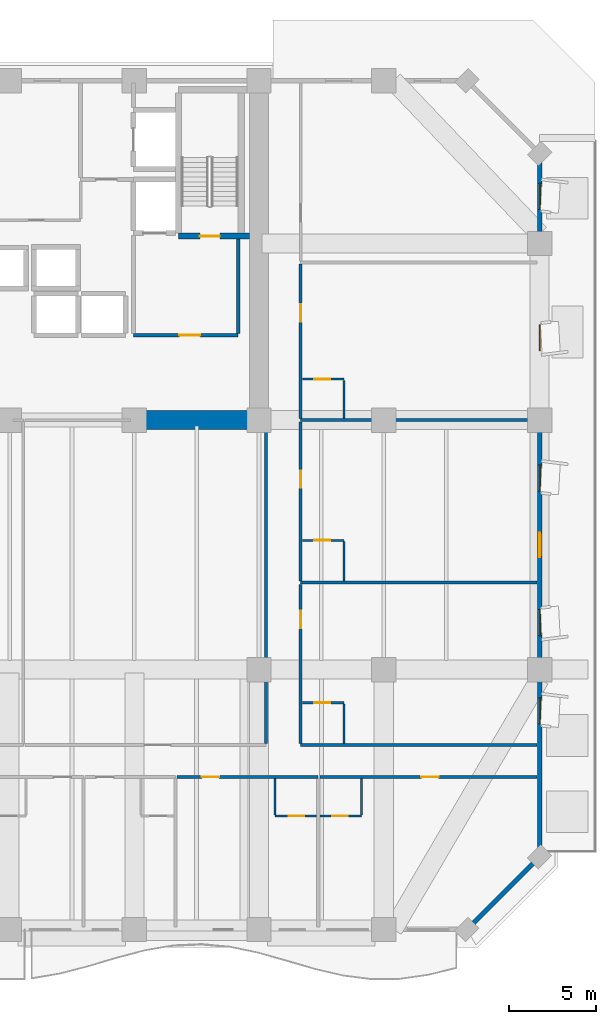
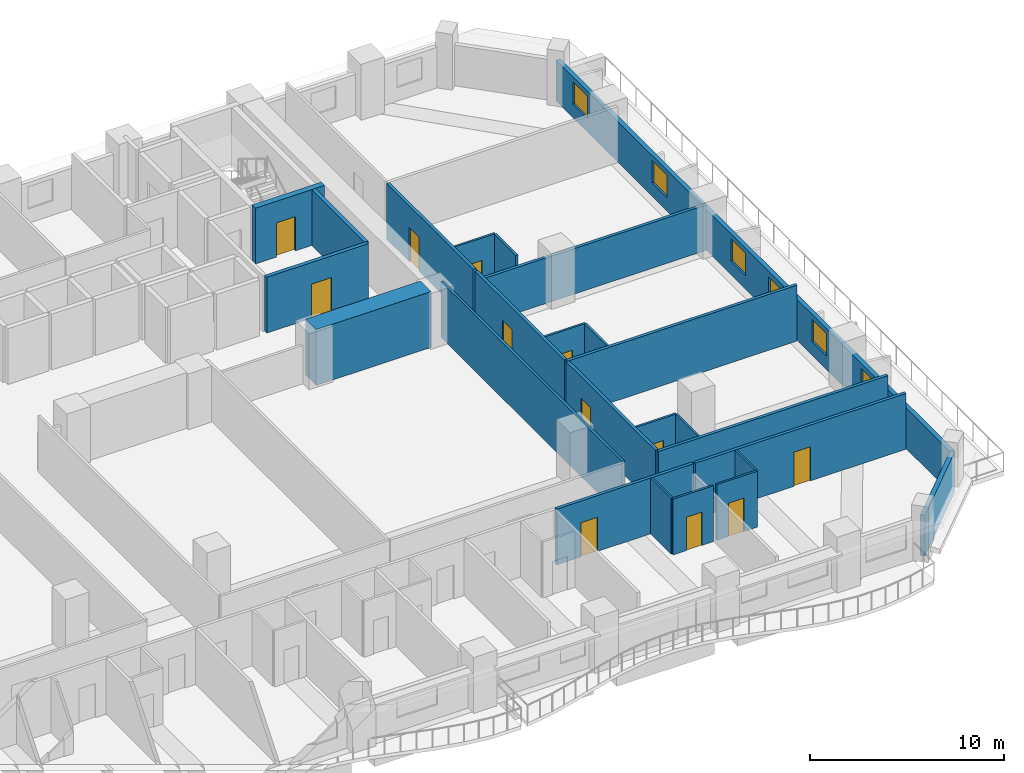
# One storey, part 12 of 17: 25 walls, 13 doors, 5 windows, 18 openings.
"""IFC4 building model written with IfcOpenShell, lengths in metres."""

import ifcopenshell
import ifcopenshell.guid

model = None  # the IFC model being written
_history = None  # IfcOwnerHistory: only IFC2X3 demands one
_inside = {}  # id of a spatial element -> (the spatial element, [elements in it])
_under = {}  # id of a project, library or spatial element -> (it, [spatial elements below it])
_declared = {}  # id of a project -> (the project, [libraries it declares])
_typed = {}  # id of a type object -> (the type object, [elements of that type])
_made_of = {}  # id of a material, layer set ... -> (it, [elements and type objects made of it])


def new_model(schema):
    """Start an empty IFC model of exactly this schema.

    Asked for "IFC4X3", IfcOpenShell would pick the latest addendum, in which some entities
    have other attributes; the version numbers below select the first issue.
    IFC2X3 requires an IfcOwnerHistory on every rooted entity: one is made here for all.
    """
    global model, _history
    if schema == "IFC4X3":
        model = ifcopenshell.file(schema_version=(4, 3, 0, 0))
    else:
        model = ifcopenshell.file(schema=schema)
    _inside.clear()
    _under.clear()
    _declared.clear()
    _typed.clear()
    _made_of.clear()
    _history = None
    if model.schema == "IFC2X3":
        org = make("IfcOrganization", Name="unknown")
        user = make(
            "IfcPersonAndOrganization",
            ThePerson=make("IfcPerson", FamilyName="unknown"),
            TheOrganization=org,
        )
        app = make(
            "IfcApplication",
            ApplicationDeveloper=org,
            Version="unknown",
            ApplicationFullName="unknown",
            ApplicationIdentifier="unknown",
        )
        _history = make(
            "IfcOwnerHistory",
            OwningUser=user,
            OwningApplication=app,
            ChangeAction="ADDED",
            CreationDate=0,
        )
    return model


def make(cls, **values):
    """One entity of the class cls with the attributes given. An attribute that is None is left unset."""
    return model.create_entity(
        cls, **{name: value for name, value in values.items() if value is not None}
    )


def rooted(cls, **values):
    """An entity with a GlobalId (a new one), such as an element, a storey or a relation."""
    return make(cls, GlobalId=ifcopenshell.guid.new(), OwnerHistory=_history, **values)


def si_unit(unit_type, name, prefix=None):
    """IfcSIUnit, for example si_unit("LENGTHUNIT", "METRE", prefix="MILLI")."""
    return make("IfcSIUnit", UnitType=unit_type, Prefix=prefix, Name=name)


def assignment(units):
    """IfcUnitAssignment: the units of a project."""
    return None if units is None else make("IfcUnitAssignment", Units=units)


def point(xyz):
    """IfcCartesianPoint."""
    return None if xyz is None else make("IfcCartesianPoint", Coordinates=xyz)


def direction(xyz):
    """IfcDirection."""
    return None if xyz is None else make("IfcDirection", DirectionRatios=xyz)


def frame(location, z_axis=None, x_axis=None):
    """IfcAxis2Placement3D, a coordinate frame: its origin and axes. An axis left out is left unset."""
    return make(
        "IfcAxis2Placement3D",
        Location=point(location),
        Axis=direction(z_axis),
        RefDirection=direction(x_axis),
    )


def frame_2d(location, x_axis=None):
    """IfcAxis2Placement2D, a coordinate frame in the plane: its origin and x axis."""
    return make(
        "IfcAxis2Placement2D", Location=point(location), RefDirection=direction(x_axis)
    )


def origin():
    """The frame at (0, 0, 0) with its axes left unset."""
    return frame((0.0, 0.0, 0.0))


def place(relative_to, where):
    """IfcLocalPlacement: puts the frame where relative to a parent placement (None: the world)."""
    return make(
        "IfcLocalPlacement", PlacementRelTo=relative_to, RelativePlacement=where
    )


def context(
    kind, dimensions, precision=None, world=None, true_north=None, identifier=None
):
    """IfcGeometricRepresentationContext, for example the 3D "Model" context."""
    return make(
        "IfcGeometricRepresentationContext",
        ContextIdentifier=identifier,
        ContextType=kind,
        CoordinateSpaceDimension=dimensions,
        Precision=precision,
        WorldCoordinateSystem=world,
        TrueNorth=true_north,
    )


def subcontext(parent, identifier, kind, view, scale=None):
    """IfcGeometricRepresentationSubContext, for example "Body" below "Model"."""
    return make(
        "IfcGeometricRepresentationSubContext",
        ContextIdentifier=identifier,
        ContextType=kind,
        ParentContext=parent,
        TargetScale=scale,
        TargetView=view,
    )


def project(units=None, contexts=None):
    """IfcProject with its units and contexts."""
    return rooted(
        "IfcProject",
        Name="project",
        RepresentationContexts=contexts,
        UnitsInContext=assignment(units),
    )


def spatial(cls, under=None, at=None, **own):
    """A site, building, storey or space (cls), placed at a placement, below another one or the project."""
    s = rooted(cls, ObjectPlacement=at, **own)
    if under is not None:
        _under.setdefault(under.id(), (under, []))[1].append(s)
    return s


def profile(cls, at=None, kind="AREA", **sizes):
    """A parametric profile (cls). Its sizes go by their IFC names, for example OverallWidth=200.0."""
    return make(cls, ProfileType=kind, Position=at, **sizes)


def rectangle(**sizes):
    """IfcRectangleProfileDef."""
    return profile("IfcRectangleProfileDef", **sizes)


def extrude(swept, where, along, depth):
    """IfcExtrudedAreaSolid: the profile swept, set in the frame where, extruded along a direction by depth."""
    return make(
        "IfcExtrudedAreaSolid",
        SweptArea=swept,
        Position=where,
        ExtrudedDirection=direction(along),
        Depth=depth,
    )


def shape(context_of_items, identifier, shape_type, items):
    """IfcShapeRepresentation: the items that make up one representation, for example the "Body"."""
    return make(
        "IfcShapeRepresentation",
        ContextOfItems=context_of_items,
        RepresentationIdentifier=identifier,
        RepresentationType=shape_type,
        Items=items,
    )


def material(Name=None, Category=None):
    """IfcMaterial."""
    return make("IfcMaterial", Name=Name, Category=Category)


def layer(
    of_material, thickness, ventilated=None, Name=None, Category=None, Priority=None
):
    """IfcMaterialLayer: one layer of a wall or slab, of a material (None: an air gap)."""
    return make(
        "IfcMaterialLayer",
        Material=of_material,
        LayerThickness=thickness,
        IsVentilated=ventilated,
        Name=Name,
        Category=Category,
        Priority=Priority,
    )


def layer_set(layers, Name=None):
    """IfcMaterialLayerSet."""
    return make("IfcMaterialLayerSet", MaterialLayers=layers, LayerSetName=Name)


def made_of(thing, what):
    """Note that an element or type object is made of a material, layer set ...; save() writes the relation."""
    if what is not None:
        _made_of.setdefault(what.id(), (what, []))[1].append(thing)
    return thing


def type_object(cls, material=None, **own):
    """A type object (cls), such as IfcWallType, which elements share."""
    return made_of(rooted(cls, **own), material)


def element(
    cls,
    number,
    at=None,
    inside=None,
    cuts=None,
    type_object=None,
    material=None,
    context=None,
    identifier="Body",
    shape_type=None,
    held_by="IfcProductDefinitionShape",
    body=None,
    shapes=None,
    **own,
):
    """One element of the class cls, such as IfcWall. Its Tag is "e" and its number.

    at: its placement. inside: the storey or other place that contains it. cuts: it is an
    opening in that element (IfcRelVoidsElement). A single representation is given by context,
    identifier, shape_type and body (its items); several are given by shapes. held_by: the class
    of the entity that holds the representations. save() writes the other relations.
    """
    e = rooted(cls, Tag="e%d" % number, ObjectPlacement=at, **own)
    if body is not None:
        shapes = [shape(context, identifier, shape_type, body)]
    if shapes is not None:
        e.Representation = make(held_by, Representations=shapes)
    if inside is not None:
        _inside.setdefault(inside.id(), (inside, []))[1].append(e)
    if cuts is not None:
        rooted(
            "IfcRelVoidsElement", RelatingBuildingElement=cuts, RelatedOpeningElement=e
        )
    if type_object is not None:
        _typed.setdefault(type_object.id(), (type_object, []))[1].append(e)
    return made_of(e, material)


def fill(opening, filler):
    """IfcRelFillsElement: the door or window that sits in an opening."""
    return rooted(
        "IfcRelFillsElement",
        RelatingOpeningElement=opening,
        RelatedBuildingElement=filler,
    )


def aggregate(whole, parts):
    """IfcRelAggregates: a whole, such as a stair, and the parts it consists of."""
    return rooted("IfcRelAggregates", RelatingObject=whole, RelatedObjects=parts)


def save(model, path):
    """Write the relations noted so far, then the file.

    IfcRelAggregates (storeys below a building ...), IfcRelContainedInSpatialStructure (elements
    in a storey), IfcRelDefinesByType, IfcRelAssociatesMaterial and IfcRelDeclares: one each for
    every whole, place, type object, material and project.
    """
    for whole, parts in _under.values():
        aggregate(whole, parts)
    for where, things in _inside.values():
        rooted(
            "IfcRelContainedInSpatialStructure",
            RelatedElements=things,
            RelatingStructure=where,
        )
    for kind, things in _typed.values():
        rooted("IfcRelDefinesByType", RelatedObjects=things, RelatingType=kind)
    for what, things in _made_of.values():
        rooted("IfcRelAssociatesMaterial", RelatedObjects=things, RelatingMaterial=what)
    for by, libraries in _declared.values():
        rooted("IfcRelDeclares", RelatingContext=by, RelatedDefinitions=libraries)
    model.write(path)


model = new_model("IFC4")

# Units and contexts
model_context = context("Model", 3, precision=1e-05, world=origin(), true_north=direction((0.0, 1.0)))
body_context = subcontext(model_context, "Body", "Model", "MODEL_VIEW")
ifc_project = project(units=[si_unit("LENGTHUNIT", "METRE"), si_unit("AREAUNIT", "SQUARE_METRE"), si_unit("VOLUMEUNIT", "CUBIC_METRE"), si_unit("PLANEANGLEUNIT", "RADIAN"), si_unit("MASSUNIT", "GRAM", prefix="KILO")], contexts=[model_context])

# Site, building, storey
site_placement = place(None, origin())
site = spatial("IfcSite", under=ifc_project, at=site_placement, CompositionType="ELEMENT")
building_placement = place(site_placement, origin())
building = spatial("IfcBuilding", under=site, at=building_placement, Name="Kaelvorn Grand Hotel", CompositionType="ELEMENT")
storey_placement = place(building_placement, frame((0.0, 0.0, 31.39990234375)))
storey = spatial("IfcBuildingStorey", under=building, at=storey_placement, Name="L05", CompositionType="ELEMENT", Elevation=31.39990234375)

# Walls
ifc_material_1 = material(Name="Concrete C80/95", Category="concrete")
ifc_layer_1 = layer(ifc_material_1, 1.10009765625)
ifc_layer_set_1 = layer_set([ifc_layer_1], Name="Concrete C80/95")
wall_type_1 = type_object("IfcWallType", Name="WL-CORE-1100-C80", PredefinedType="SHEAR", material=ifc_layer_set_1)
wall_1_placement = place(storey_placement, frame((60.39990234375, 29.39990234375, 0.0), z_axis=(0.0, 0.0, 1.0), x_axis=(1.0, 0.0, 0.0)))
element("IfcWall", 1, at=wall_1_placement, inside=storey, type_object=wall_type_1, Name="L05 Rear-Core Coupled Shear Pier S4", PredefinedType="SHEAR", context=body_context, shape_type="SweptSolid", body=[
    extrude(rectangle(XDim=6.84521484375, YDim=1.10009765625, at=frame_2d((3.422607421875, 0.0))), origin(), (0.0, 0.0, 1.0), 3.510009765625),
])
ifc_material_2 = material(Name="Concrete C40/50", Category="concrete")
ifc_layer_2 = layer(ifc_material_2, 0.260009765625)
ifc_layer_set_2 = layer_set([ifc_layer_2], Name="Concrete C40/50")
wall_type_2 = type_object("IfcWallType", Name="WL-EXT-260-C40", PredefinedType="SOLIDWALL", material=ifc_layer_set_2)
wall_2_placement = place(storey_placement, frame((79.800048828125, 0.0, 0.0), z_axis=(0.0, 0.0, 1.0), x_axis=(0.707106781187, 0.707106781187, 0.0)))
element("IfcWall", 2, at=wall_2_placement, inside=storey, type_object=wall_type_2, Name="L05 Exterior Architectural Concrete Wall 02", PredefinedType="SOLIDWALL", context=body_context, shape_type="SweptSolid", body=[
    extrude(rectangle(XDim=5.939697265625, YDim=0.260009765625, at=frame_2d((2.9697265625, 0.0))), origin(), (0.0, 0.0, 1.0), 2.56005859375),
])

# Wall, openings, door, windows
wall_3_placement = place(storey_placement, frame((84.0, 4.199951171875, 0.0), z_axis=(0.0, 0.0, 1.0), x_axis=(0.0, 1.0, 0.0)))
wall_3 = element("IfcWall", 3, at=wall_3_placement, inside=storey, type_object=wall_type_2, Name="L05 Exterior Architectural Concrete Wall 03", PredefinedType="SOLIDWALL", context=body_context, shape_type="SweptSolid", body=[
    extrude(rectangle(XDim=40.60009765625, YDim=0.260009765625, at=frame_2d((20.300048828125, 0.0))), origin(), (0.0, 0.0, 1.0), 2.56005859375),
])
opening_1_placement = place(wall_3_placement, frame((17.300048828125, 0.0, 0.0)))
opening_1 = element("IfcOpeningElement", 4, at=opening_1_placement, cuts=wall_3, Name="Opening DE3", PredefinedType="OPENING", context=body_context, shape_type="SweptSolid", body=[
    extrude(rectangle(XDim=1.39990234375, YDim=2.199951171875, at=frame_2d((0.699951171875, 1.10009765625))), frame((0.0, 0.14013671875, 0.0), z_axis=(0.0, -1.0, 0.0), x_axis=(1.0, 0.0, 0.0)), (0.0, 0.0, 1.0), 0.280029296875),
])
opening_2_placement = place(wall_3_placement, frame((7.675048828125, 0.0, 0.85009765625)))
opening_2 = element("IfcOpeningElement", 5, at=opening_2_placement, cuts=wall_3, Name="Opening W10", PredefinedType="OPENING", context=body_context, shape_type="SweptSolid", body=[
    extrude(rectangle(XDim=1.5, YDim=1.39990234375, at=frame_2d((0.75, 0.699951171875))), frame((0.0, 0.14013671875, 0.0), z_axis=(0.0, -1.0, 0.0), x_axis=(1.0, 0.0, 0.0)), (0.0, 0.0, 1.0), 0.280029296875),
])
opening_3_placement = place(wall_3_placement, frame((12.760009765625, 0.0, 0.85009765625)))
opening_3 = element("IfcOpeningElement", 6, at=opening_3_placement, cuts=wall_3, Name="Opening W10", PredefinedType="OPENING", context=body_context, shape_type="SweptSolid", body=[
    extrude(rectangle(XDim=1.5, YDim=1.39990234375, at=frame_2d((0.75, 0.699951171875))), frame((0.0, 0.14013671875, 0.0), z_axis=(0.0, -1.0, 0.0), x_axis=(1.0, 0.0, 0.0)), (0.0, 0.0, 1.0), 0.280029296875),
])
opening_4_placement = place(wall_3_placement, frame((21.110107421875, 0.0, 0.85009765625)))
opening_4 = element("IfcOpeningElement", 7, at=opening_4_placement, cuts=wall_3, Name="Opening W10", PredefinedType="OPENING", context=body_context, shape_type="SweptSolid", body=[
    extrude(rectangle(XDim=1.5, YDim=1.39990234375, at=frame_2d((0.75, 0.699951171875))), frame((0.0, 0.14013671875, 0.0), z_axis=(0.0, -1.0, 0.0), x_axis=(1.0, 0.0, 0.0)), (0.0, 0.0, 1.0), 0.280029296875),
])
opening_5_placement = place(wall_3_placement, frame((29.199951171875, 0.0, 0.85009765625)))
opening_5 = element("IfcOpeningElement", 8, at=opening_5_placement, cuts=wall_3, Name="Opening W10", PredefinedType="OPENING", context=body_context, shape_type="SweptSolid", body=[
    extrude(rectangle(XDim=1.5, YDim=1.39990234375, at=frame_2d((0.75, 0.699951171875))), frame((0.0, 0.14013671875, 0.0), z_axis=(0.0, -1.0, 0.0), x_axis=(1.0, 0.0, 0.0)), (0.0, 0.0, 1.0), 0.280029296875),
])
opening_6_placement = place(wall_3_placement, frame((37.364990234375, 0.0, 0.85009765625)))
opening_6 = element("IfcOpeningElement", 9, at=opening_6_placement, cuts=wall_3, Name="Opening W10", PredefinedType="OPENING", context=body_context, shape_type="SweptSolid", body=[
    extrude(rectangle(XDim=1.5, YDim=1.39990234375, at=frame_2d((0.75, 0.699951171875))), frame((0.0, 0.14013671875, 0.0), z_axis=(0.0, -1.0, 0.0), x_axis=(1.0, 0.0, 0.0)), (0.0, 0.0, 1.0), 0.280029296875),
])
ifc_material_3 = material(Name="Anodised Aluminium", Category="aluminium")
door_type_1 = type_object("IfcDoorType", Name="DR-EXT-TERR-1400x2200", OperationType="NOTDEFINED", PredefinedType="DOOR", material=ifc_material_3)
door_1_placement = place(opening_1_placement, origin())
door_1 = element("IfcDoor", 10, at=door_1_placement, inside=storey, type_object=door_type_1, Name="L05 East Setback Terrace Step-Free Door DE3-E", OperationType="SINGLE_SWING_RIGHT", OverallHeight=2.199951171875, OverallWidth=1.39990234375, PredefinedType="DOOR", context=body_context, shape_type="SweptSolid", body=[
    extrude(rectangle(XDim=1.39990234375, YDim=2.199951171875, at=frame_2d((0.699951171875, 1.10009765625))), frame((0.0, 0.02490234375, 0.0), z_axis=(0.0, -1.0, 0.0), x_axis=(1.0, 0.0, 0.0)), (0.0, 0.0, 1.0), 0.050048828125),
])
fill(opening_1, door_1)
ifc_material_4 = material(Name="Laminated Low-E Glass", Category="glass")
window_type = type_object("IfcWindowType", Name="WIN-COR-1500x1400", PartitioningType="SINGLE_PANEL", PredefinedType="WINDOW", material=ifc_material_4)
window_1_placement = place(opening_2_placement, origin())
window_1 = element("IfcWindow", 11, at=window_1_placement, inside=storey, type_object=window_type, Name="L05 E Wing Tilted-Frame Ribbon Window E01", OverallHeight=1.39990234375, OverallWidth=1.5, PartitioningType="SINGLE_PANEL", PredefinedType="WINDOW", context=body_context, shape_type="SweptSolid", body=[
    extrude(rectangle(XDim=1.5, YDim=1.39990234375, at=frame_2d((0.75, 0.699951171875))), frame((0.0, 0.030029296875, 0.0), z_axis=(0.0, -1.0, 0.0), x_axis=(1.0, 0.0, 0.0)), (0.0, 0.0, 1.0), 0.06005859375),
])
fill(opening_2, window_1)
window_2_placement = place(opening_3_placement, origin())
window_2 = element("IfcWindow", 12, at=window_2_placement, inside=storey, type_object=window_type, Name="L05 E Wing Tilted-Frame Ribbon Window E02", OverallHeight=1.39990234375, OverallWidth=1.5, PartitioningType="SINGLE_PANEL", PredefinedType="WINDOW", context=body_context, shape_type="SweptSolid", body=[
    extrude(rectangle(XDim=1.5, YDim=1.39990234375, at=frame_2d((0.75, 0.699951171875))), frame((0.0, 0.030029296875, 0.0), z_axis=(0.0, -1.0, 0.0), x_axis=(1.0, 0.0, 0.0)), (0.0, 0.0, 1.0), 0.06005859375),
])
fill(opening_3, window_2)
window_3_placement = place(opening_4_placement, origin())
window_3 = element("IfcWindow", 13, at=window_3_placement, inside=storey, type_object=window_type, Name="L05 E Wing Tilted-Frame Ribbon Window E03", OverallHeight=1.39990234375, OverallWidth=1.5, PartitioningType="SINGLE_PANEL", PredefinedType="WINDOW", context=body_context, shape_type="SweptSolid", body=[
    extrude(rectangle(XDim=1.5, YDim=1.39990234375, at=frame_2d((0.75, 0.699951171875))), frame((0.0, 0.030029296875, 0.0), z_axis=(0.0, -1.0, 0.0), x_axis=(1.0, 0.0, 0.0)), (0.0, 0.0, 1.0), 0.06005859375),
])
fill(opening_4, window_3)
window_4_placement = place(opening_5_placement, origin())
window_4 = element("IfcWindow", 14, at=window_4_placement, inside=storey, type_object=window_type, Name="L05 E Wing Tilted-Frame Ribbon Window E04", OverallHeight=1.39990234375, OverallWidth=1.5, PartitioningType="SINGLE_PANEL", PredefinedType="WINDOW", context=body_context, shape_type="SweptSolid", body=[
    extrude(rectangle(XDim=1.5, YDim=1.39990234375, at=frame_2d((0.75, 0.699951171875))), frame((0.0, 0.030029296875, 0.0), z_axis=(0.0, -1.0, 0.0), x_axis=(1.0, 0.0, 0.0)), (0.0, 0.0, 1.0), 0.06005859375),
])
fill(opening_5, window_4)
window_5_placement = place(opening_6_placement, origin())
window_5 = element("IfcWindow", 15, at=window_5_placement, inside=storey, type_object=window_type, Name="L05 E Wing Tilted-Frame Ribbon Window E05", OverallHeight=1.39990234375, OverallWidth=1.5, PartitioningType="SINGLE_PANEL", PredefinedType="WINDOW", context=body_context, shape_type="SweptSolid", body=[
    extrude(rectangle(XDim=1.5, YDim=1.39990234375, at=frame_2d((0.75, 0.699951171875))), frame((0.0, 0.030029296875, 0.0), z_axis=(0.0, -1.0, 0.0), x_axis=(1.0, 0.0, 0.0)), (0.0, 0.0, 1.0), 0.06005859375),
])
fill(opening_6, window_5)

# Wall, opening, door
ifc_material_5 = material(Name="Moisture-Resistant Tile & Stud Board")
ifc_layer_3 = layer(ifc_material_5, 0.125)
ifc_layer_set_3 = layer_set([ifc_layer_3], Name="Moisture-Resistant Tile & Stud Board")
wall_type_3 = type_object("IfcWallType", Name="WL-PART-125-WET", PredefinedType="PARTITIONING", material=ifc_layer_set_3)
wall_4_placement = place(storey_placement, frame((68.716796875, 6.550048828125, 0.0), z_axis=(0.0, 0.0, 1.0), x_axis=(1.0, 0.0, 0.0)))
wall_4 = element("IfcWall", 16, at=wall_4_placement, inside=storey, type_object=wall_type_3, Name="L05 En-suite Bathroom L05-12 S Partition", PredefinedType="PARTITIONING", context=body_context, shape_type="SweptSolid", body=[
    extrude(rectangle(XDim=2.40478515625, YDim=0.125, at=frame_2d((1.202392578125, 0.0))), origin(), (0.0, 0.0, 1.0), 3.510009765625),
])
opening_7_placement = place(wall_4_placement, frame((0.800048828125, 0.0, 0.0)))
opening_7 = element("IfcOpeningElement", 17, at=opening_7_placement, cuts=wall_4, Name="Opening DI4", PredefinedType="OPENING", context=body_context, shape_type="SweptSolid", body=[
    extrude(rectangle(XDim=0.89990234375, YDim=2.10009765625, at=frame_2d((0.449951171875, 1.050048828125))), frame((0.0, 0.072509765625, 0.0), z_axis=(0.0, -1.0, 0.0), x_axis=(1.0, 0.0, 0.0)), (0.0, 0.0, 1.0), 0.14501953125),
])
ifc_material_6 = material(Name="Timber Veneer Leaf", Category="wood")
door_type_2 = type_object("IfcDoorType", Name="DR-INT-BATH-900x2100", OperationType="NOTDEFINED", PredefinedType="DOOR", material=ifc_material_6)
door_2_placement = place(opening_7_placement, origin())
door_2 = element("IfcDoor", 18, at=door_2_placement, inside=storey, type_object=door_type_2, Name="L05 En-suite Bathroom L05-12 Door", OperationType="SINGLE_SWING_RIGHT", OverallHeight=2.10009765625, OverallWidth=0.89990234375, PredefinedType="DOOR", context=body_context, shape_type="SweptSolid", body=[
    extrude(rectangle(XDim=0.89990234375, YDim=2.10009765625, at=frame_2d((0.449951171875, 1.050048828125))), frame((0.0, 0.02490234375, 0.0), z_axis=(0.0, -1.0, 0.0), x_axis=(1.0, 0.0, 0.0)), (0.0, 0.0, 1.0), 0.050048828125),
])
fill(opening_7, door_2)

# Wall
wall_5_placement = place(storey_placement, frame((68.716796875, 6.617431640625, 0.0), z_axis=(0.0, 0.0, 1.0), x_axis=(0.0, 1.0, 0.0)))
element("IfcWall", 19, at=wall_5_placement, inside=storey, type_object=wall_type_3, Name="L05 En-suite Bathroom L05-12 W Partition", PredefinedType="PARTITIONING", context=body_context, shape_type="SweptSolid", body=[
    extrude(rectangle(XDim=2.087646484375, YDim=0.125, at=frame_2d((1.0439453125, 0.0))), origin(), (0.0, 0.0, 1.0), 3.510009765625),
])

# Wall, opening, door
wall_6_placement = place(storey_placement, frame((71.311767578125, 6.550048828125, 0.0), z_axis=(0.0, 0.0, 1.0), x_axis=(1.0, 0.0, 0.0)))
wall_6 = element("IfcWall", 20, at=wall_6_placement, inside=storey, type_object=wall_type_3, Name="L05 En-suite Bathroom L05-13 S Partition", PredefinedType="PARTITIONING", context=body_context, shape_type="SweptSolid", body=[
    extrude(rectangle(XDim=2.405029296875, YDim=0.125, at=frame_2d((1.20263671875, 0.0))), origin(), (0.0, 0.0, 1.0), 3.510009765625),
])
opening_8_placement = place(wall_6_placement, frame((0.705078125, 0.0, 0.0)))
opening_8 = element("IfcOpeningElement", 21, at=opening_8_placement, cuts=wall_6, Name="Opening DI4", PredefinedType="OPENING", context=body_context, shape_type="SweptSolid", body=[
    extrude(rectangle(XDim=0.89990234375, YDim=2.10009765625, at=frame_2d((0.449951171875, 1.050048828125))), frame((0.0, 0.072509765625, 0.0), z_axis=(0.0, -1.0, 0.0), x_axis=(1.0, 0.0, 0.0)), (0.0, 0.0, 1.0), 0.14501953125),
])
door_3_placement = place(opening_8_placement, origin())
door_3 = element("IfcDoor", 22, at=door_3_placement, inside=storey, type_object=door_type_2, Name="L05 En-suite Bathroom L05-13 Door", OperationType="SINGLE_SWING_RIGHT", OverallHeight=2.10009765625, OverallWidth=0.89990234375, PredefinedType="DOOR", context=body_context, shape_type="SweptSolid", body=[
    extrude(rectangle(XDim=0.89990234375, YDim=2.10009765625, at=frame_2d((0.449951171875, 1.050048828125))), frame((0.0, 0.02490234375, 0.0), z_axis=(0.0, -1.0, 0.0), x_axis=(1.0, 0.0, 0.0)), (0.0, 0.0, 1.0), 0.050048828125),
])
fill(opening_8, door_3)

# Wall
wall_7_placement = place(storey_placement, frame((73.716796875, 6.617431640625, 0.0), z_axis=(0.0, 0.0, 1.0), x_axis=(0.0, 1.0, 0.0)))
element("IfcWall", 23, at=wall_7_placement, inside=storey, type_object=wall_type_3, Name="L05 En-suite Bathroom L05-13 E Partition", PredefinedType="PARTITIONING", context=body_context, shape_type="SweptSolid", body=[
    extrude(rectangle(XDim=2.087646484375, YDim=0.125, at=frame_2d((1.0439453125, 0.0))), origin(), (0.0, 0.0, 1.0), 3.510009765625),
])

# Wall, opening, door
wall_8_placement = place(storey_placement, frame((70.294921875, 13.090087890625, 0.0), z_axis=(0.0, 0.0, 1.0), x_axis=(1.0, 0.0, 0.0)))
wall_8 = element("IfcWall", 24, at=wall_8_placement, inside=storey, type_object=wall_type_3, Name="L05 En-suite Bathroom L05-16 N Partition", PredefinedType="PARTITIONING", context=body_context, shape_type="SweptSolid", body=[
    extrude(rectangle(XDim=2.405029296875, YDim=0.125, at=frame_2d((1.20263671875, 0.0))), origin(), (0.0, 0.0, 1.0), 3.510009765625),
])
opening_9_placement = place(wall_8_placement, frame((0.705078125, 0.0, 0.0)))
opening_9 = element("IfcOpeningElement", 25, at=opening_9_placement, cuts=wall_8, Name="Opening DI4", PredefinedType="OPENING", context=body_context, shape_type="SweptSolid", body=[
    extrude(rectangle(XDim=0.89990234375, YDim=2.10009765625, at=frame_2d((0.449951171875, 1.050048828125))), frame((0.0, 0.072509765625, 0.0), z_axis=(0.0, -1.0, 0.0), x_axis=(1.0, 0.0, 0.0)), (0.0, 0.0, 1.0), 0.14501953125),
])
door_4_placement = place(opening_9_placement, origin())
door_4 = element("IfcDoor", 26, at=door_4_placement, inside=storey, type_object=door_type_2, Name="L05 En-suite Bathroom L05-16 Door", OperationType="SINGLE_SWING_LEFT", OverallHeight=2.10009765625, OverallWidth=0.89990234375, PredefinedType="DOOR", context=body_context, shape_type="SweptSolid", body=[
    extrude(rectangle(XDim=0.89990234375, YDim=2.10009765625, at=frame_2d((0.449951171875, 1.050048828125))), frame((0.0, 0.02490234375, 0.0), z_axis=(0.0, -1.0, 0.0), x_axis=(1.0, 0.0, 0.0)), (0.0, 0.0, 1.0), 0.050048828125),
])
fill(opening_9, door_4)

# Wall
wall_9_placement = place(storey_placement, frame((72.699951171875, 10.7451171875, 0.0), z_axis=(0.0, 0.0, 1.0), x_axis=(0.0, 1.0, 0.0)))
element("IfcWall", 27, at=wall_9_placement, inside=storey, type_object=wall_type_3, Name="L05 En-suite Bathroom L05-16 E Partition", PredefinedType="PARTITIONING", context=body_context, shape_type="SweptSolid", body=[
    extrude(rectangle(XDim=2.27734375, YDim=0.125, at=frame_2d((1.138671875, 0.0))), origin(), (0.0, 0.0, 1.0), 3.510009765625),
])

# Wall, opening, door
wall_10_placement = place(storey_placement, frame((70.294921875, 22.4599609375, 0.0), z_axis=(0.0, 0.0, 1.0), x_axis=(1.0, 0.0, 0.0)))
wall_10 = element("IfcWall", 28, at=wall_10_placement, inside=storey, type_object=wall_type_3, Name="L05 En-suite Bathroom L05-17 N Partition", PredefinedType="PARTITIONING", context=body_context, shape_type="SweptSolid", body=[
    extrude(rectangle(XDim=2.405029296875, YDim=0.125, at=frame_2d((1.20263671875, 0.0))), origin(), (0.0, 0.0, 1.0), 3.510009765625),
])
opening_10_placement = place(wall_10_placement, frame((0.705078125, 0.0, 0.0)))
opening_10 = element("IfcOpeningElement", 29, at=opening_10_placement, cuts=wall_10, Name="Opening DI4", PredefinedType="OPENING", context=body_context, shape_type="SweptSolid", body=[
    extrude(rectangle(XDim=0.89990234375, YDim=2.10009765625, at=frame_2d((0.449951171875, 1.050048828125))), frame((0.0, 0.072509765625, 0.0), z_axis=(0.0, -1.0, 0.0), x_axis=(1.0, 0.0, 0.0)), (0.0, 0.0, 1.0), 0.14501953125),
])
door_5_placement = place(opening_10_placement, origin())
door_5 = element("IfcDoor", 30, at=door_5_placement, inside=storey, type_object=door_type_2, Name="L05 En-suite Bathroom L05-17 Door", OperationType="SINGLE_SWING_LEFT", OverallHeight=2.10009765625, OverallWidth=0.89990234375, PredefinedType="DOOR", context=body_context, shape_type="SweptSolid", body=[
    extrude(rectangle(XDim=0.89990234375, YDim=2.10009765625, at=frame_2d((0.449951171875, 1.050048828125))), frame((0.0, 0.02490234375, 0.0), z_axis=(0.0, -1.0, 0.0), x_axis=(1.0, 0.0, 0.0)), (0.0, 0.0, 1.0), 0.050048828125),
])
fill(opening_10, door_5)

# Wall
wall_11_placement = place(storey_placement, frame((72.699951171875, 20.114990234375, 0.0), z_axis=(0.0, 0.0, 1.0), x_axis=(0.0, 1.0, 0.0)))
element("IfcWall", 31, at=wall_11_placement, inside=storey, type_object=wall_type_3, Name="L05 En-suite Bathroom L05-17 E Partition", PredefinedType="PARTITIONING", context=body_context, shape_type="SweptSolid", body=[
    extrude(rectangle(XDim=2.277587890625, YDim=0.125, at=frame_2d((1.138671875, 0.0))), origin(), (0.0, 0.0, 1.0), 3.510009765625),
])

# Wall, opening, door
wall_12_placement = place(storey_placement, frame((70.294921875, 31.77001953125, 0.0), z_axis=(0.0, 0.0, 1.0), x_axis=(1.0, 0.0, 0.0)))
wall_12 = element("IfcWall", 32, at=wall_12_placement, inside=storey, type_object=wall_type_3, Name="L05 En-suite Bathroom L05-19 N Partition", PredefinedType="PARTITIONING", context=body_context, shape_type="SweptSolid", body=[
    extrude(rectangle(XDim=2.405029296875, YDim=0.125, at=frame_2d((1.20263671875, 0.0))), origin(), (0.0, 0.0, 1.0), 3.510009765625),
])
opening_11_placement = place(wall_12_placement, frame((0.705078125, 0.0, 0.0)))
opening_11 = element("IfcOpeningElement", 33, at=opening_11_placement, cuts=wall_12, Name="Opening DI4", PredefinedType="OPENING", context=body_context, shape_type="SweptSolid", body=[
    extrude(rectangle(XDim=0.89990234375, YDim=2.10009765625, at=frame_2d((0.449951171875, 1.050048828125))), frame((0.0, 0.072509765625, 0.0), z_axis=(0.0, -1.0, 0.0), x_axis=(1.0, 0.0, 0.0)), (0.0, 0.0, 1.0), 0.14501953125),
])
door_6_placement = place(opening_11_placement, origin())
door_6 = element("IfcDoor", 34, at=door_6_placement, inside=storey, type_object=door_type_2, Name="L05 En-suite Bathroom L05-19 Door", OperationType="SINGLE_SWING_RIGHT", OverallHeight=2.10009765625, OverallWidth=0.89990234375, PredefinedType="DOOR", context=body_context, shape_type="SweptSolid", body=[
    extrude(rectangle(XDim=0.89990234375, YDim=2.10009765625, at=frame_2d((0.449951171875, 1.050048828125))), frame((0.0, 0.02490234375, 0.0), z_axis=(0.0, -1.0, 0.0), x_axis=(1.0, 0.0, 0.0)), (0.0, 0.0, 1.0), 0.050048828125),
])
fill(opening_11, door_6)

# Walls
wall_13_placement = place(storey_placement, frame((72.699951171875, 29.4951171875, 0.0), z_axis=(0.0, 0.0, 1.0), x_axis=(0.0, 1.0, 0.0)))
element("IfcWall", 35, at=wall_13_placement, inside=storey, type_object=wall_type_3, Name="L05 En-suite Bathroom L05-19 E Partition", PredefinedType="PARTITIONING", context=body_context, shape_type="SweptSolid", body=[
    extrude(rectangle(XDim=2.207275390625, YDim=0.125, at=frame_2d((1.103515625, 0.0))), origin(), (0.0, 0.0, 1.0), 3.510009765625),
])
ifc_material_7 = material(Name="Acoustic Gypsum & Stud Partition")
ifc_layer_4 = layer(ifc_material_7, 0.14990234375)
ifc_layer_set_4 = layer_set([ifc_layer_4], Name="Acoustic Gypsum & Stud Partition")
wall_type_4 = type_object("IfcWallType", Name="WL-PART-150-EI60", PredefinedType="PARTITIONING", material=ifc_layer_set_4)
wall_14_placement = place(storey_placement, frame((68.199951171875, 10.72998046875, 0.0), z_axis=(0.0, 0.0, 1.0), x_axis=(0.0, 1.0, 0.0)))
element("IfcWall", 36, at=wall_14_placement, inside=storey, type_object=wall_type_4, Name="L05 Business Secretariat Office E Partition", PredefinedType="PARTITIONING", context=body_context, shape_type="SweptSolid", body=[
    extrude(rectangle(XDim=18.659912109375, YDim=0.14990234375, at=frame_2d((9.330078125, 0.0))), origin(), (0.0, 0.0, 1.0), 3.510009765625),
])

# Wall, opening, door
ifc_layer_5 = layer(ifc_material_7, 0.179931640625)
ifc_layer_set_5 = layer_set([ifc_layer_5], Name="Acoustic Gypsum & Stud Partition")
wall_type_5 = type_object("IfcWallType", Name="WL-PART-180-EI60", PredefinedType="PARTITIONING", material=ifc_layer_set_5)
wall_15_placement = place(storey_placement, frame((63.078857421875, 8.800048828125, 0.0), z_axis=(0.0, 0.0, 1.0), x_axis=(1.0, 0.0, 0.0)))
wall_15 = element("IfcWall", 37, at=wall_15_placement, inside=storey, type_object=wall_type_5, Name="L05 Deluxe King Guest Room L05-12 N Partition", PredefinedType="PARTITIONING", context=body_context, shape_type="SweptSolid", body=[
    extrude(rectangle(XDim=8.137939453125, YDim=0.179931640625, at=frame_2d((4.06884765625, 0.0))), origin(), (0.0, 0.0, 1.0), 3.510009765625),
])
opening_12_placement = place(wall_15_placement, frame((1.423095703125, 0.0, 0.0)))
opening_12 = element("IfcOpeningElement", 38, at=opening_12_placement, cuts=wall_15, Name="Opening DI3", PredefinedType="OPENING", context=body_context, shape_type="SweptSolid", body=[
    extrude(rectangle(XDim=1.0, YDim=2.14990234375, at=frame_2d((0.5, 1.074951171875))), frame((0.0, 0.10009765625, 0.0), z_axis=(0.0, -1.0, 0.0), x_axis=(1.0, 0.0, 0.0)), (0.0, 0.0, 1.0), 0.199951171875),
])
ifc_material_8 = material(Name="Timber Veneer Fire Leaf", Category="wood")
door_type_3 = type_object("IfcDoorType", Name="DR-INT-GUEST-1000x2150", OperationType="NOTDEFINED", PredefinedType="DOOR", material=ifc_material_8)
door_7_placement = place(opening_12_placement, origin())
door_7 = element("IfcDoor", 39, at=door_7_placement, inside=storey, type_object=door_type_3, Name="L05 Deluxe King Guest Room L05-12 Door", OperationType="SINGLE_SWING_LEFT", OverallHeight=2.14990234375, OverallWidth=1.0, PredefinedType="DOOR", context=body_context, shape_type="SweptSolid", body=[
    extrude(rectangle(XDim=1.0, YDim=2.14990234375, at=frame_2d((0.5, 1.074951171875))), frame((0.0, 0.02490234375, 0.0), z_axis=(0.0, -1.0, 0.0), x_axis=(1.0, 0.0, 0.0)), (0.0, 0.0, 1.0), 0.050048828125),
])
fill(opening_12, door_7)

wall_16_placement = place(storey_placement, frame((71.311767578125, 8.800048828125, 0.0), z_axis=(0.0, 0.0, 1.0), x_axis=(1.0, 0.0, 0.0)))
wall_16 = element("IfcWall", 40, at=wall_16_placement, inside=storey, type_object=wall_type_5, Name="L05 Deluxe Panoramic Suite L05-13 N Partition", PredefinedType="PARTITIONING", context=body_context, shape_type="SweptSolid", body=[
    extrude(rectangle(XDim=12.538330078125, YDim=0.179931640625, at=frame_2d((6.26904296875, 0.0))), origin(), (0.0, 0.0, 1.0), 3.510009765625),
])
opening_13_placement = place(wall_16_placement, frame((5.853271484375, 0.0, 0.0)))
opening_13 = element("IfcOpeningElement", 41, at=opening_13_placement, cuts=wall_16, Name="Opening DI3", PredefinedType="OPENING", context=body_context, shape_type="SweptSolid", body=[
    extrude(rectangle(XDim=1.0, YDim=2.14990234375, at=frame_2d((0.5, 1.074951171875))), frame((0.0, 0.10009765625, 0.0), z_axis=(0.0, -1.0, 0.0), x_axis=(1.0, 0.0, 0.0)), (0.0, 0.0, 1.0), 0.199951171875),
])
door_8_placement = place(opening_13_placement, origin())
door_8 = element("IfcDoor", 42, at=door_8_placement, inside=storey, type_object=door_type_3, Name="L05 Deluxe Panoramic Suite L05-13 Door", OperationType="SINGLE_SWING_LEFT", OverallHeight=2.14990234375, OverallWidth=1.0, PredefinedType="DOOR", context=body_context, shape_type="SweptSolid", body=[
    extrude(rectangle(XDim=1.0, YDim=2.14990234375, at=frame_2d((0.5, 1.074951171875))), frame((0.0, 0.02490234375, 0.0), z_axis=(0.0, -1.0, 0.0), x_axis=(1.0, 0.0, 0.0)), (0.0, 0.0, 1.0), 0.050048828125),
])
fill(opening_13, door_8)

# Walls
for number, where, z_axis, x_axis, name in (
    (43, (70.199951171875, 10.64990234375, 0.0), (0.0, 0.0, 1.0), (1.0, 0.0, 0.0), "L05 East Wing Panoramic Suite L05-16 S Partition"),
    (44, (70.199951171875, 20.02001953125, 0.0), (0.0, 0.0, 1.0), (1.0, 0.0, 0.0), "L05 East Wing Panoramic Suite L05-16 N Partition"),
):
    element("IfcWall", number, at=place(storey_placement, frame(where, z_axis=z_axis, x_axis=x_axis)), inside=storey, type_object=wall_type_5, Name=name, PredefinedType="PARTITIONING", context=body_context, shape_type="SweptSolid", body=[
        extrude(rectangle(XDim=13.650146484375, YDim=0.179931640625, at=frame_2d((6.8251953125, 0.0))), origin(), (0.0, 0.0, 1.0), 3.510009765625),
    ])

# Wall, opening, door
wall_17_placement = place(storey_placement, frame((70.199951171875, 10.7451171875, 0.0), z_axis=(0.0, 0.0, 1.0), x_axis=(0.0, 1.0, 0.0)))
wall_17 = element("IfcWall", 45, at=wall_17_placement, inside=storey, type_object=wall_type_5, Name="L05 East Wing Panoramic Suite L05-16 W Partition", PredefinedType="PARTITIONING", context=body_context, shape_type="SweptSolid", body=[
    extrude(rectangle(XDim=9.179931640625, YDim=0.179931640625, at=frame_2d((4.58984375, 0.0))), origin(), (0.0, 0.0, 1.0), 3.510009765625),
])
opening_14_placement = place(wall_17_placement, frame((6.655029296875, 0.0, 0.0)))
opening_14 = element("IfcOpeningElement", 46, at=opening_14_placement, cuts=wall_17, Name="Opening DI3", PredefinedType="OPENING", context=body_context, shape_type="SweptSolid", body=[
    extrude(rectangle(XDim=1.0, YDim=2.14990234375, at=frame_2d((0.5, 1.074951171875))), frame((0.0, 0.10009765625, 0.0), z_axis=(0.0, -1.0, 0.0), x_axis=(1.0, 0.0, 0.0)), (0.0, 0.0, 1.0), 0.199951171875),
])
door_9_placement = place(opening_14_placement, origin())
door_9 = element("IfcDoor", 47, at=door_9_placement, inside=storey, type_object=door_type_3, Name="L05 East Wing Panoramic Suite L05-16 Door", OperationType="SINGLE_SWING_RIGHT", OverallHeight=2.14990234375, OverallWidth=1.0, PredefinedType="DOOR", context=body_context, shape_type="SweptSolid", body=[
    extrude(rectangle(XDim=1.0, YDim=2.14990234375, at=frame_2d((0.5, 1.074951171875))), frame((0.0, 0.02490234375, 0.0), z_axis=(0.0, -1.0, 0.0), x_axis=(1.0, 0.0, 0.0)), (0.0, 0.0, 1.0), 0.050048828125),
])
fill(opening_14, door_9)

# Wall
wall_18_placement = place(storey_placement, frame((70.199951171875, 29.39990234375, 0.0), z_axis=(0.0, 0.0, 1.0), x_axis=(1.0, 0.0, 0.0)))
element("IfcWall", 48, at=wall_18_placement, inside=storey, type_object=wall_type_5, Name="L05 East Mid-Wing Suite L05-17 N Partition", PredefinedType="PARTITIONING", context=body_context, shape_type="SweptSolid", body=[
    extrude(rectangle(XDim=13.650146484375, YDim=0.179931640625, at=frame_2d((6.8251953125, 0.0))), origin(), (0.0, 0.0, 1.0), 2.860107421875),
])

# Wall, opening, door
wall_19_placement = place(storey_placement, frame((70.199951171875, 20.114990234375, 0.0), z_axis=(0.0, 0.0, 1.0), x_axis=(0.0, 1.0, 0.0)))
wall_19 = element("IfcWall", 49, at=wall_19_placement, inside=storey, type_object=wall_type_5, Name="L05 East Mid-Wing Suite L05-17 W Partition", PredefinedType="PARTITIONING", context=body_context, shape_type="SweptSolid", body=[
    extrude(rectangle(XDim=9.18994140625, YDim=0.179931640625, at=frame_2d((4.594970703125, 0.0))), origin(), (0.0, 0.0, 1.0), 3.510009765625),
])
opening_15_placement = place(wall_19_placement, frame((5.375, 0.0, 0.0)))
opening_15 = element("IfcOpeningElement", 50, at=opening_15_placement, cuts=wall_19, Name="Opening DI3", PredefinedType="OPENING", context=body_context, shape_type="SweptSolid", body=[
    extrude(rectangle(XDim=1.0, YDim=2.14990234375, at=frame_2d((0.5, 1.074951171875))), frame((0.0, 0.10009765625, 0.0), z_axis=(0.0, -1.0, 0.0), x_axis=(1.0, 0.0, 0.0)), (0.0, 0.0, 1.0), 0.199951171875),
])
door_10_placement = place(opening_15_placement, origin())
door_10 = element("IfcDoor", 51, at=door_10_placement, inside=storey, type_object=door_type_3, Name="L05 East Mid-Wing Suite L05-17 Door", OperationType="SINGLE_SWING_RIGHT", OverallHeight=2.14990234375, OverallWidth=1.0, PredefinedType="DOOR", context=body_context, shape_type="SweptSolid", body=[
    extrude(rectangle(XDim=1.0, YDim=2.14990234375, at=frame_2d((0.5, 1.074951171875))), frame((0.0, 0.02490234375, 0.0), z_axis=(0.0, -1.0, 0.0), x_axis=(1.0, 0.0, 0.0)), (0.0, 0.0, 1.0), 0.050048828125),
])
fill(opening_15, door_10)

wall_20_placement = place(storey_placement, frame((70.199951171875, 29.4951171875, 0.0), z_axis=(0.0, 0.0, 1.0), x_axis=(0.0, 1.0, 0.0)))
wall_20 = element("IfcWall", 52, at=wall_20_placement, inside=storey, type_object=wall_type_5, Name="L05 North-East Wing Suite L05-19 W Partition", PredefinedType="PARTITIONING", context=body_context, shape_type="SweptSolid", body=[
    extrude(rectangle(XDim=8.909912109375, YDim=0.179931640625, at=frame_2d((4.455078125, 0.0))), origin(), (0.0, 0.0, 1.0), 3.510009765625),
])
opening_16_placement = place(wall_20_placement, frame((5.590087890625, 0.0, 0.0)))
opening_16 = element("IfcOpeningElement", 53, at=opening_16_placement, cuts=wall_20, Name="Opening DI3", PredefinedType="OPENING", context=body_context, shape_type="SweptSolid", body=[
    extrude(rectangle(XDim=1.0, YDim=2.14990234375, at=frame_2d((0.5, 1.074951171875))), frame((0.0, 0.10009765625, 0.0), z_axis=(0.0, -1.0, 0.0), x_axis=(1.0, 0.0, 0.0)), (0.0, 0.0, 1.0), 0.199951171875),
])
door_11_placement = place(opening_16_placement, origin())
door_11 = element("IfcDoor", 54, at=door_11_placement, inside=storey, type_object=door_type_3, Name="L05 North-East Wing Suite L05-19 Door", OperationType="SINGLE_SWING_LEFT", OverallHeight=2.14990234375, OverallWidth=1.0, PredefinedType="DOOR", context=body_context, shape_type="SweptSolid", body=[
    extrude(rectangle(XDim=1.0, YDim=2.14990234375, at=frame_2d((0.5, 1.074951171875))), frame((0.0, 0.02490234375, 0.0), z_axis=(0.0, -1.0, 0.0), x_axis=(1.0, 0.0, 0.0)), (0.0, 0.0, 1.0), 0.050048828125),
])
fill(opening_16, door_11)

ifc_layer_6 = layer(ifc_material_2, 0.219970703125)
ifc_layer_set_6 = layer_set([ifc_layer_6], Name="Concrete C40/50")
wall_type_6 = type_object("IfcWallType", Name="WL-PART-220-EI120", PredefinedType="PARTITIONING", material=ifc_layer_set_6)
wall_21_placement = place(storey_placement, frame((60.550048828125, 34.300048828125, 0.0), z_axis=(0.0, 0.0, 1.0), x_axis=(1.0, 0.0, 0.0)))
wall_21 = element("IfcWall", 55, at=wall_21_placement, inside=storey, type_object=wall_type_6, Name="L05 Firefighting Lift Lobby 2 S Partition", PredefinedType="PARTITIONING", context=body_context, shape_type="SweptSolid", body=[
    extrude(rectangle(XDim=6.050048828125, YDim=0.219970703125, at=frame_2d((3.02490234375, 0.0))), origin(), (0.0, 0.0, 1.0), 3.510009765625),
])
opening_17_placement = place(wall_21_placement, frame((2.64990234375, 0.0, 0.0)))
opening_17 = element("IfcOpeningElement", 56, at=opening_17_placement, cuts=wall_21, Name="Opening DI2", PredefinedType="OPENING", context=body_context, shape_type="SweptSolid", body=[
    extrude(rectangle(XDim=1.199951171875, YDim=2.14990234375, at=frame_2d((0.60009765625, 1.074951171875))), frame((0.0, 0.1201171875, 0.0), z_axis=(0.0, -1.0, 0.0), x_axis=(1.0, 0.0, 0.0)), (0.0, 0.0, 1.0), 0.239990234375),
])
door_type_4 = type_object("IfcDoorType", Name="DR-INT-FFLOB-1200x2150", OperationType="NOTDEFINED", PredefinedType="DOOR", material=ifc_material_8)
door_12_placement = place(opening_17_placement, origin())
door_12 = element("IfcDoor", 57, at=door_12_placement, inside=storey, type_object=door_type_4, Name="L05 Firefighting Lift Lobby 2 Door", OperationType="SINGLE_SWING_LEFT", OverallHeight=2.14990234375, OverallWidth=1.199951171875, PredefinedType="DOOR", context=body_context, shape_type="SweptSolid", body=[
    extrude(rectangle(XDim=1.199951171875, YDim=2.14990234375, at=frame_2d((0.60009765625, 1.074951171875))), frame((0.0, 0.02490234375, 0.0), z_axis=(0.0, -1.0, 0.0), x_axis=(1.0, 0.0, 0.0)), (0.0, 0.0, 1.0), 0.050048828125),
])
fill(opening_17, door_12)

# Wall
wall_22_placement = place(storey_placement, frame((66.60009765625, 34.4150390625, 0.0), z_axis=(0.0, 0.0, 1.0), x_axis=(0.0, 1.0, 0.0)))
element("IfcWall", 58, at=wall_22_placement, inside=storey, type_object=wall_type_6, Name="L05 Firefighting Lift Lobby 2 E Partition", PredefinedType="PARTITIONING", context=body_context, shape_type="SweptSolid", body=[
    extrude(rectangle(XDim=5.429931640625, YDim=0.219970703125, at=frame_2d((2.71484375, 0.0))), origin(), (0.0, 0.0, 1.0), 3.510009765625),
])

# Wall, opening, door
ifc_material_9 = material(Name="Concrete C60/75", Category="concrete")
ifc_layer_7 = layer(ifc_material_9, 0.35009765625)
ifc_layer_set_7 = layer_set([ifc_layer_7], Name="Concrete C60/75")
wall_type_7 = type_object("IfcWallType", Name="WL-SHAFT-350-C60", PredefinedType="SHEAR", material=ifc_layer_set_7)
wall_23_placement = place(storey_placement, frame((63.14501953125, 40.02490234375, 0.0), z_axis=(0.0, 0.0, 1.0), x_axis=(1.0, 0.0, 0.0)))
wall_23 = element("IfcWall", 59, at=wall_23_placement, inside=storey, type_object=wall_type_7, Name="L05 ST3 Stair Shaft South Wall", PredefinedType="SHEAR", context=body_context, shape_type="SweptSolid", body=[
    extrude(rectangle(XDim=4.10009765625, YDim=0.35009765625, at=frame_2d((2.050048828125, 0.0))), origin(), (0.0, 0.0, 1.0), 3.510009765625),
])
opening_18_placement = place(wall_23_placement, frame((1.239990234375, 0.0, 0.0)))
opening_18 = element("IfcOpeningElement", 60, at=opening_18_placement, cuts=wall_23, Name="Opening DI1", PredefinedType="OPENING", context=body_context, shape_type="SweptSolid", body=[
    extrude(rectangle(XDim=1.14990234375, YDim=2.14990234375, at=frame_2d((0.574951171875, 1.074951171875))), frame((0.0, 0.18505859375, 0.0), z_axis=(0.0, -1.0, 0.0), x_axis=(1.0, 0.0, 0.0)), (0.0, 0.0, 1.0), 0.3701171875),
])
door_type_5 = type_object("IfcDoorType", Name="DR-INT-STAIR-1150x2150", OperationType="NOTDEFINED", PredefinedType="DOOR", material=ifc_material_8)
door_13_placement = place(opening_18_placement, origin())
door_13 = element("IfcDoor", 61, at=door_13_placement, inside=storey, type_object=door_type_5, Name="L05 ST3 Exit Stair Fire Door", OperationType="SINGLE_SWING_LEFT", OverallHeight=2.14990234375, OverallWidth=1.14990234375, PredefinedType="DOOR", context=body_context, shape_type="SweptSolid", body=[
    extrude(rectangle(XDim=1.14990234375, YDim=2.14990234375, at=frame_2d((0.574951171875, 1.074951171875))), frame((0.0, 0.02490234375, 0.0), z_axis=(0.0, -1.0, 0.0), x_axis=(1.0, 0.0, 0.0)), (0.0, 0.0, 1.0), 0.050048828125),
])
fill(opening_18, door_13)

save(model, "model.ifc")
